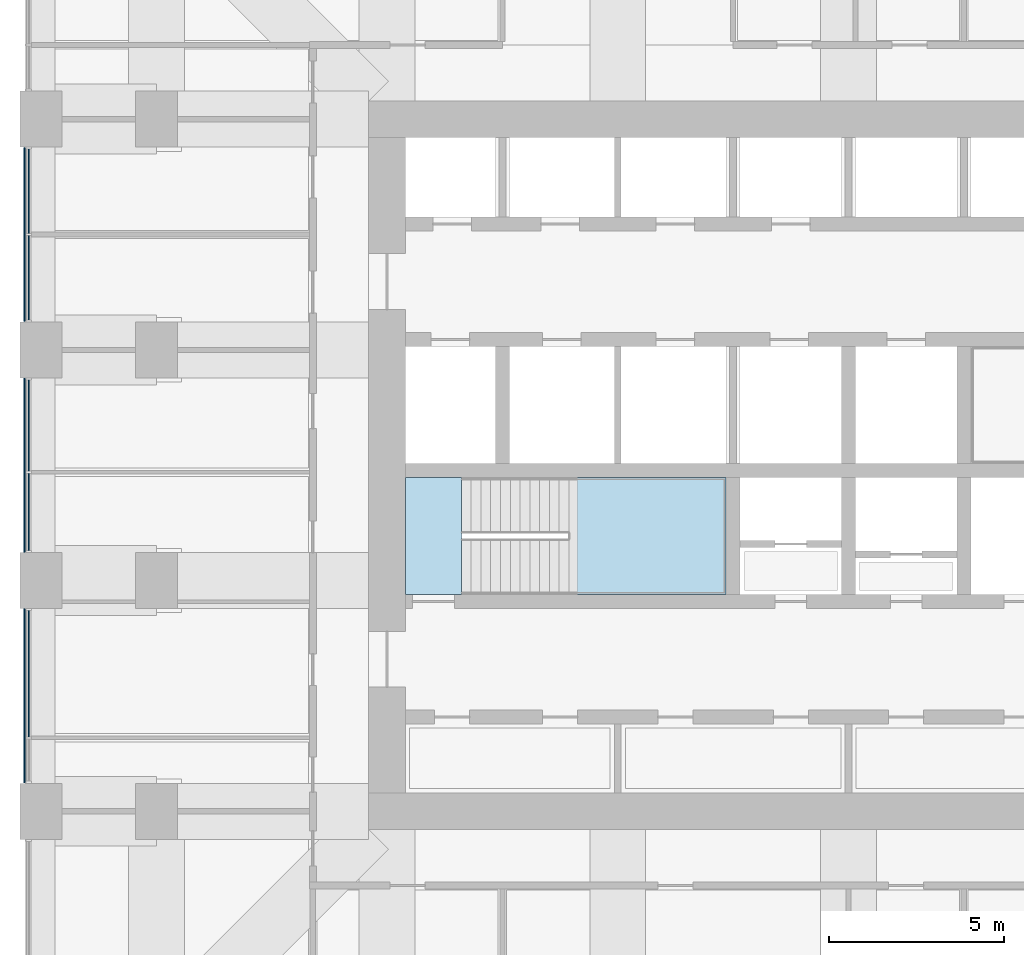
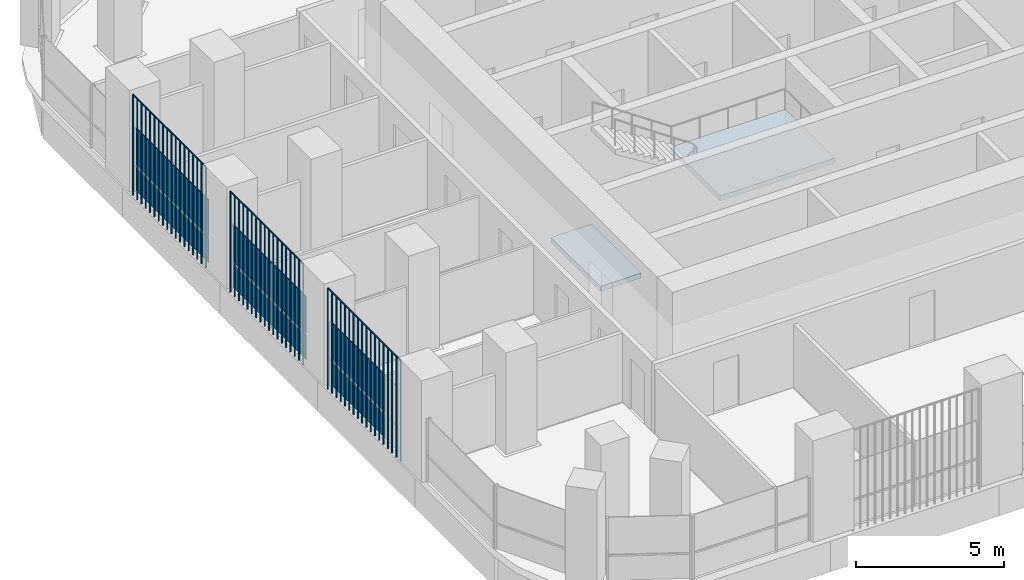
# One storey, part 9 of 20: 13 plates, 2 slabs, 4 elements without a shape of their own.
"""IFC4 building model written with IfcOpenShell, lengths in metres."""

from ifc_helpers import new_model, si_unit, direction, frame, origin, origin_2d, place, context, subcontext, project, spatial, polyline, rectangle, outline, extrude, material, layer, layer_set, type_object, element, aggregate, save


model = new_model("IFC4")

# Units and contexts
model_context = context("Model", 3, precision=1e-05, world=origin(), true_north=direction((0.0, 1.0)))
body_context = subcontext(model_context, "Body", "Model", "MODEL_VIEW")
ifc_project = project(units=[si_unit("LENGTHUNIT", "METRE"), si_unit("AREAUNIT", "SQUARE_METRE"), si_unit("VOLUMEUNIT", "CUBIC_METRE"), si_unit("PLANEANGLEUNIT", "RADIAN"), si_unit("MASSUNIT", "GRAM", prefix="KILO")], contexts=[model_context])

# Site, building, storey
site_placement = place(None, origin())
site = spatial("IfcSite", under=ifc_project, at=site_placement, CompositionType="ELEMENT")
building_placement = place(site_placement, origin())
building = spatial("IfcBuilding", under=site, at=building_placement, Name="Cobogo Forest Laboratory Tower", CompositionType="ELEMENT")
storey_placement = place(building_placement, frame((0.0, 0.0, 214.5)))
storey = spatial("IfcBuildingStorey", under=building, at=storey_placement, Name="L49", CompositionType="ELEMENT", Elevation=214.5)

# Curtain wall, plates
ifc_material_1 = material(Name="Aluminium curtain wall", Category="aluminium")
curtain_wall_type = type_object("IfcCurtainWallType", Name="CW-2 unitised curtain wall, solar control glazing, laboratory floors zones C and D", PredefinedType="USERDEFINED", material=ifc_material_1)
curtain_wall_1_placement = place(storey_placement, origin())
curtain_wall_1 = element("IfcCurtainWall", 1, at=curtain_wall_1_placement, inside=storey, type_object=curtain_wall_type, Name="Curtain wall 25 L49", ObjectType="UNITISED CURTAIN WALL", PredefinedType="USERDEFINED")
ifc_material_2 = material(Name="Solar control insulated glass", Category="glass")
ifc_layer_1 = layer(ifc_material_2, 0.031982421875)
ifc_layer_set_1 = layer_set([ifc_layer_1], Name="GP-2 solar control glass unit 32")
plate_type_1 = type_object("IfcPlateType", Name="GP-2 solar control glass unit 32", PredefinedType="CURTAIN_PANEL", material=ifc_layer_set_1)
plate_1_placement = place(storey_placement, frame((2.949951171875, 30.93505859375, 0.0), z_axis=(0.0, 0.0, 1.0), x_axis=(0.0, -1.0, 0.0)))
plate_1 = element("IfcPlate", 2, at=plate_1_placement, type_object=plate_type_1, Name="CW-2 panel 1.1", PredefinedType="CURTAIN_PANEL", context=body_context, shape_type="SweptSolid", body=[
    extrude(rectangle(XDim=2.409912109375, YDim=0.031982421875, at=origin_2d()), origin(), (0.0, 0.0, 1.0), 1.02001953125),
])
plate_2_placement = place(storey_placement, frame((2.949951171875, 30.93505859375, 1.080078125), z_axis=(0.0, 0.0, 1.0), x_axis=(0.0, -1.0, 0.0)))
plate_2 = element("IfcPlate", 3, at=plate_2_placement, type_object=plate_type_1, Name="CW-2 panel 1.2", PredefinedType="CURTAIN_PANEL", context=body_context, shape_type="SweptSolid", body=[
    extrude(rectangle(XDim=2.409912109375, YDim=0.031982421875, at=origin_2d()), origin(), (0.0, 0.0, 1.0), 1.52001953125),
])
plate_3_placement = place(storey_placement, frame((2.949951171875, 28.465087890625, 0.0), z_axis=(0.0, 0.0, 1.0), x_axis=(0.0, -1.0, 0.0)))
plate_3 = element("IfcPlate", 4, at=plate_3_placement, type_object=plate_type_1, Name="CW-2 panel 2.1", PredefinedType="CURTAIN_PANEL", context=body_context, shape_type="SweptSolid", body=[
    extrude(rectangle(XDim=2.409912109375, YDim=0.031982421875, at=origin_2d()), origin(), (0.0, 0.0, 1.0), 1.02001953125),
])
plate_4_placement = place(storey_placement, frame((2.949951171875, 28.465087890625, 1.080078125), z_axis=(0.0, 0.0, 1.0), x_axis=(0.0, -1.0, 0.0)))
plate_4 = element("IfcPlate", 5, at=plate_4_placement, type_object=plate_type_1, Name="CW-2 panel 2.2", PredefinedType="CURTAIN_PANEL", context=body_context, shape_type="SweptSolid", body=[
    extrude(rectangle(XDim=2.409912109375, YDim=0.031982421875, at=origin_2d()), origin(), (0.0, 0.0, 1.0), 1.52001953125),
])
aggregate(curtain_wall_1, [plate_1, plate_2, plate_3, plate_4])

curtain_wall_2_placement = place(storey_placement, origin())
curtain_wall_2 = element("IfcCurtainWall", 6, at=curtain_wall_2_placement, inside=storey, type_object=curtain_wall_type, Name="Curtain wall 26 L49", ObjectType="UNITISED CURTAIN WALL", PredefinedType="USERDEFINED")
plate_5_placement = place(storey_placement, frame((2.949951171875, 24.235107421875, 0.0), z_axis=(0.0, 0.0, 1.0), x_axis=(0.0, -1.0, 0.0)))
plate_5 = element("IfcPlate", 7, at=plate_5_placement, type_object=plate_type_1, Name="CW-2 panel 1.1", PredefinedType="CURTAIN_PANEL", context=body_context, shape_type="SweptSolid", body=[
    extrude(rectangle(XDim=2.610107421875, YDim=0.031982421875, at=origin_2d()), origin(), (0.0, 0.0, 1.0), 1.02001953125),
])
plate_6_placement = place(storey_placement, frame((2.949951171875, 24.235107421875, 1.080078125), z_axis=(0.0, 0.0, 1.0), x_axis=(0.0, -1.0, 0.0)))
plate_6 = element("IfcPlate", 8, at=plate_6_placement, type_object=plate_type_1, Name="CW-2 panel 1.2", PredefinedType="CURTAIN_PANEL", context=body_context, shape_type="SweptSolid", body=[
    extrude(rectangle(XDim=2.610107421875, YDim=0.031982421875, at=origin_2d()), origin(), (0.0, 0.0, 1.0), 1.52001953125),
])
plate_7_placement = place(storey_placement, frame((2.949951171875, 21.764892578125, 0.0), z_axis=(0.0, 0.0, 1.0), x_axis=(0.0, -1.0, 0.0)))
plate_7 = element("IfcPlate", 9, at=plate_7_placement, type_object=plate_type_1, Name="CW-2 panel 2.1", PredefinedType="CURTAIN_PANEL", context=body_context, shape_type="SweptSolid", body=[
    extrude(rectangle(XDim=2.2099609375, YDim=0.031982421875, at=origin_2d()), origin(), (0.0, 0.0, 1.0), 1.02001953125),
])
plate_8_placement = place(storey_placement, frame((2.949951171875, 21.764892578125, 1.080078125), z_axis=(0.0, 0.0, 1.0), x_axis=(0.0, -1.0, 0.0)))
plate_8 = element("IfcPlate", 10, at=plate_8_placement, type_object=plate_type_1, Name="CW-2 panel 2.2", PredefinedType="CURTAIN_PANEL", context=body_context, shape_type="SweptSolid", body=[
    extrude(rectangle(XDim=2.2099609375, YDim=0.031982421875, at=origin_2d()), origin(), (0.0, 0.0, 1.0), 1.52001953125),
])
aggregate(curtain_wall_2, [plate_5, plate_6, plate_7, plate_8])

curtain_wall_3_placement = place(storey_placement, origin())
curtain_wall_3 = element("IfcCurtainWall", 11, at=curtain_wall_3_placement, inside=storey, type_object=curtain_wall_type, Name="Curtain wall 27 L49", ObjectType="UNITISED CURTAIN WALL", PredefinedType="USERDEFINED")
plate_9_placement = place(storey_placement, frame((2.949951171875, 17.135009765625, 0.0), z_axis=(0.0, 0.0, 1.0), x_axis=(0.0, -1.0, 0.0)))
plate_9 = element("IfcPlate", 12, at=plate_9_placement, type_object=plate_type_1, Name="CW-2 panel 1.1", PredefinedType="CURTAIN_PANEL", context=body_context, shape_type="SweptSolid", body=[
    extrude(rectangle(XDim=3.610107421875, YDim=0.031982421875, at=origin_2d()), origin(), (0.0, 0.0, 1.0), 1.02001953125),
])
plate_10_placement = place(storey_placement, frame((2.949951171875, 17.135009765625, 1.080078125), z_axis=(0.0, 0.0, 1.0), x_axis=(0.0, -1.0, 0.0)))
plate_10 = element("IfcPlate", 13, at=plate_10_placement, type_object=plate_type_1, Name="CW-2 panel 1.2", PredefinedType="CURTAIN_PANEL", context=body_context, shape_type="SweptSolid", body=[
    extrude(rectangle(XDim=3.610107421875, YDim=0.031982421875, at=origin_2d()), origin(), (0.0, 0.0, 1.0), 1.52001953125),
])
aggregate(curtain_wall_3, [plate_9, plate_10])

# Stair, slabs
ifc_material_3 = material(Name="Precast concrete HA-40 (C40/50)", Category="concrete")
stair_type = type_object("IfcStairType", Name="ST24 exit stair 24 risers", PredefinedType="HALF_TURN_STAIR", material=ifc_material_3)
stair_placement = place(storey_placement, origin())
stair = element("IfcStair", 14, at=stair_placement, inside=storey, type_object=stair_type, Name="Stair 1 L49 to L50", PredefinedType="HALF_TURN_STAIR")
ifc_material_4 = material(Name="Concrete HA-40 (C40/50)", Category="concrete")
ifc_layer_2 = layer(ifc_material_4, 0.199951171875)
ifc_layer_set_2 = layer_set([ifc_layer_2], Name="SL stair landing 200")
slab_type = type_object("IfcSlabType", Name="SL stair landing 200", PredefinedType="LANDING", material=ifc_layer_set_2)
slab_1_placement = place(storey_placement, frame((0.0, 0.0, -0.199951171875)))
slab_1 = element("IfcSlab", 15, at=slab_1_placement, type_object=slab_type, Name="ST1 landing 1", PredefinedType="LANDING", context=body_context, shape_type="SweptSolid", body=[
    extrude(outline(polyline([(13.72509765625, 19.39990234375), (15.326904296875, 19.39990234375), (15.326904296875, 22.75), (13.72509765625, 22.75), (13.72509765625, 19.39990234375)])), origin(), (0.0, 0.0, 1.0), 0.199951171875),
])
slab_2_placement = place(storey_placement, frame((0.0, 0.0, 1.89990234375)))
slab_2 = element("IfcSlab", 16, at=slab_2_placement, type_object=slab_type, Name="ST1 landing 2", PredefinedType="LANDING", context=body_context, shape_type="SweptSolid", body=[
    extrude(outline(polyline([(18.403076171875, 19.39990234375), (22.89990234375, 19.39990234375), (22.89990234375, 22.75), (18.403076171875, 22.75), (18.403076171875, 19.39990234375)])), origin(), (0.0, 0.0, 1.0), 0.2001953125),
])
aggregate(stair, [slab_1, slab_2])

# Plates
ifc_material_5 = material(Name="Terracotta", Category="masonry")
plate_type_2 = type_object("IfcPlateType", Name="TB1 terracotta baguette screen", PredefinedType="USERDEFINED", material=ifc_material_5)
plate_11_placement = place(storey_placement, frame((2.822021484375, 14.03125, -0.14990234375)))
element("IfcPlate", 17, at=plate_11_placement, inside=storey, type_object=plate_type_2, Name="Baguette screen W1 L49", ObjectType="BAGUETTE SCREEN", PredefinedType="USERDEFINED", context=body_context, shape_type="SweptSolid", body=[
    extrude(outline(polyline([(0.02880859375, 0.011962890625), (0.011962890625, 0.02880859375), (-0.011962890625, 0.02880859375), (-0.02880859375, 0.011962890625), (-0.02880859375, -0.011962890625), (-0.011962890625, -0.02880859375), (0.011962890625, -0.02880859375), (0.02880859375, -0.011962890625), (0.02880859375, 0.011962890625)])), frame((0.0, 0.0, 4.168701171875), z_axis=(0.0, 1.0, 0.0), x_axis=(-1.0, 0.0, 0.0)), (0.0, 0.0, 1.0), 4.9375),
    extrude(outline(polyline([(0.02880859375, 0.011962890625), (0.011962890625, 0.02880859375), (-0.011962890625, 0.02880859375), (-0.02880859375, 0.011962890625), (-0.02880859375, -0.011962890625), (-0.011962890625, -0.02880859375), (0.011962890625, -0.02880859375), (0.02880859375, -0.011962890625), (0.02880859375, 0.011962890625)])), origin(), (0.0, 0.0, 1.0), 4.137451171875),
    extrude(outline(polyline([(0.02880859375, 0.011962890625), (0.011962890625, 0.02880859375), (-0.011962890625, 0.02880859375), (-0.02880859375, 0.011962890625), (-0.02880859375, -0.011962890625), (-0.011962890625, -0.02880859375), (0.011962890625, -0.02880859375), (0.02880859375, -0.011962890625), (0.02880859375, 0.011962890625)])), frame((0.0, 0.29052734375, 0.0)), (0.0, 0.0, 1.0), 4.137451171875),
    extrude(outline(polyline([(0.02880859375, 0.011962890625), (0.011962890625, 0.02880859375), (-0.011962890625, 0.02880859375), (-0.02880859375, 0.011962890625), (-0.02880859375, -0.011962890625), (-0.011962890625, -0.02880859375), (0.011962890625, -0.02880859375), (0.02880859375, -0.011962890625), (0.02880859375, 0.011962890625)])), frame((0.0, 0.580810546875, 0.0)), (0.0, 0.0, 1.0), 4.137451171875),
    extrude(outline(polyline([(0.02880859375, 0.011962890625), (0.011962890625, 0.02880859375), (-0.011962890625, 0.02880859375), (-0.02880859375, 0.011962890625), (-0.02880859375, -0.011962890625), (-0.011962890625, -0.02880859375), (0.011962890625, -0.02880859375), (0.02880859375, -0.011962890625), (0.02880859375, 0.011962890625)])), frame((0.0, 0.871337890625, 0.0)), (0.0, 0.0, 1.0), 4.137451171875),
    extrude(outline(polyline([(0.02880859375, 0.011962890625), (0.011962890625, 0.02880859375), (-0.011962890625, 0.02880859375), (-0.02880859375, 0.011962890625), (-0.02880859375, -0.011962890625), (-0.011962890625, -0.02880859375), (0.011962890625, -0.02880859375), (0.02880859375, -0.011962890625), (0.02880859375, 0.011962890625)])), frame((0.0, 1.161865234375, 0.0)), (0.0, 0.0, 1.0), 4.137451171875),
    extrude(outline(polyline([(0.02880859375, 0.011962890625), (0.011962890625, 0.02880859375), (-0.011962890625, 0.02880859375), (-0.02880859375, 0.011962890625), (-0.02880859375, -0.011962890625), (-0.011962890625, -0.02880859375), (0.011962890625, -0.02880859375), (0.02880859375, -0.011962890625), (0.02880859375, 0.011962890625)])), frame((0.0, 1.4521484375, 0.0)), (0.0, 0.0, 1.0), 4.137451171875),
    extrude(outline(polyline([(0.02880859375, 0.011962890625), (0.011962890625, 0.02880859375), (-0.011962890625, 0.02880859375), (-0.02880859375, 0.011962890625), (-0.02880859375, -0.011962890625), (-0.011962890625, -0.02880859375), (0.011962890625, -0.02880859375), (0.02880859375, -0.011962890625), (0.02880859375, 0.011962890625)])), frame((0.0, 1.74267578125, 0.0)), (0.0, 0.0, 1.0), 4.137451171875),
    extrude(outline(polyline([(0.02880859375, 0.011962890625), (0.011962890625, 0.02880859375), (-0.011962890625, 0.02880859375), (-0.02880859375, 0.011962890625), (-0.02880859375, -0.011962890625), (-0.011962890625, -0.02880859375), (0.011962890625, -0.02880859375), (0.02880859375, -0.011962890625), (0.02880859375, 0.011962890625)])), frame((0.0, 2.033203125, 0.0)), (0.0, 0.0, 1.0), 4.137451171875),
    extrude(outline(polyline([(0.02880859375, 0.011962890625), (0.011962890625, 0.02880859375), (-0.011962890625, 0.02880859375), (-0.02880859375, 0.011962890625), (-0.02880859375, -0.011962890625), (-0.011962890625, -0.02880859375), (0.011962890625, -0.02880859375), (0.02880859375, -0.011962890625), (0.02880859375, 0.011962890625)])), frame((0.0, 2.323486328125, 0.0)), (0.0, 0.0, 1.0), 4.137451171875),
    extrude(outline(polyline([(0.02880859375, 0.011962890625), (0.011962890625, 0.02880859375), (-0.011962890625, 0.02880859375), (-0.02880859375, 0.011962890625), (-0.02880859375, -0.011962890625), (-0.011962890625, -0.02880859375), (0.011962890625, -0.02880859375), (0.02880859375, -0.011962890625), (0.02880859375, 0.011962890625)])), frame((0.0, 2.614013671875, 0.0)), (0.0, 0.0, 1.0), 4.137451171875),
    extrude(outline(polyline([(0.02880859375, 0.011962890625), (0.011962890625, 0.02880859375), (-0.011962890625, 0.02880859375), (-0.02880859375, 0.011962890625), (-0.02880859375, -0.011962890625), (-0.011962890625, -0.02880859375), (0.011962890625, -0.02880859375), (0.02880859375, -0.011962890625), (0.02880859375, 0.011962890625)])), frame((0.0, 2.904296875, 0.0)), (0.0, 0.0, 1.0), 4.137451171875),
    extrude(outline(polyline([(0.02880859375, 0.011962890625), (0.011962890625, 0.02880859375), (-0.011962890625, 0.02880859375), (-0.02880859375, 0.011962890625), (-0.02880859375, -0.011962890625), (-0.011962890625, -0.02880859375), (0.011962890625, -0.02880859375), (0.02880859375, -0.011962890625), (0.02880859375, 0.011962890625)])), frame((0.0, 3.19482421875, 0.0)), (0.0, 0.0, 1.0), 4.137451171875),
    extrude(outline(polyline([(0.02880859375, 0.011962890625), (0.011962890625, 0.02880859375), (-0.011962890625, 0.02880859375), (-0.02880859375, 0.011962890625), (-0.02880859375, -0.011962890625), (-0.011962890625, -0.02880859375), (0.011962890625, -0.02880859375), (0.02880859375, -0.011962890625), (0.02880859375, 0.011962890625)])), frame((0.0, 3.4853515625, 0.0)), (0.0, 0.0, 1.0), 4.137451171875),
    extrude(outline(polyline([(0.02880859375, 0.011962890625), (0.011962890625, 0.02880859375), (-0.011962890625, 0.02880859375), (-0.02880859375, 0.011962890625), (-0.02880859375, -0.011962890625), (-0.011962890625, -0.02880859375), (0.011962890625, -0.02880859375), (0.02880859375, -0.011962890625), (0.02880859375, 0.011962890625)])), frame((0.0, 3.775634765625, 0.0)), (0.0, 0.0, 1.0), 4.137451171875),
    extrude(outline(polyline([(0.02880859375, 0.011962890625), (0.011962890625, 0.02880859375), (-0.011962890625, 0.02880859375), (-0.02880859375, 0.011962890625), (-0.02880859375, -0.011962890625), (-0.011962890625, -0.02880859375), (0.011962890625, -0.02880859375), (0.02880859375, -0.011962890625), (0.02880859375, 0.011962890625)])), frame((0.0, 4.066162109375, 0.0)), (0.0, 0.0, 1.0), 4.137451171875),
    extrude(outline(polyline([(0.02880859375, 0.011962890625), (0.011962890625, 0.02880859375), (-0.011962890625, 0.02880859375), (-0.02880859375, 0.011962890625), (-0.02880859375, -0.011962890625), (-0.011962890625, -0.02880859375), (0.011962890625, -0.02880859375), (0.02880859375, -0.011962890625), (0.02880859375, 0.011962890625)])), frame((0.0, 4.356689453125, 0.0)), (0.0, 0.0, 1.0), 4.137451171875),
    extrude(outline(polyline([(0.02880859375, 0.011962890625), (0.011962890625, 0.02880859375), (-0.011962890625, 0.02880859375), (-0.02880859375, 0.011962890625), (-0.02880859375, -0.011962890625), (-0.011962890625, -0.02880859375), (0.011962890625, -0.02880859375), (0.02880859375, -0.011962890625), (0.02880859375, 0.011962890625)])), frame((0.0, 4.64697265625, 0.0)), (0.0, 0.0, 1.0), 4.137451171875),
    extrude(outline(polyline([(0.02880859375, 0.011962890625), (0.011962890625, 0.02880859375), (-0.011962890625, 0.02880859375), (-0.02880859375, 0.011962890625), (-0.02880859375, -0.011962890625), (-0.011962890625, -0.02880859375), (0.011962890625, -0.02880859375), (0.02880859375, -0.011962890625), (0.02880859375, 0.011962890625)])), frame((0.0, 4.9375, 0.0)), (0.0, 0.0, 1.0), 4.137451171875),
])
plate_12_placement = place(storey_placement, frame((2.822021484375, 20.63134765625, -0.14990234375)))
element("IfcPlate", 18, at=plate_12_placement, inside=storey, type_object=plate_type_2, Name="Baguette screen W2 L49", ObjectType="BAGUETTE SCREEN", PredefinedType="USERDEFINED", context=body_context, shape_type="SweptSolid", body=[
    extrude(outline(polyline([(0.02880859375, 0.011962890625), (0.011962890625, 0.02880859375), (-0.011962890625, 0.02880859375), (-0.02880859375, 0.011962890625), (-0.02880859375, -0.011962890625), (-0.011962890625, -0.02880859375), (0.011962890625, -0.02880859375), (0.02880859375, -0.011962890625), (0.02880859375, 0.011962890625)])), frame((0.0, 0.0, 4.168701171875), z_axis=(0.0, 1.0, 0.0), x_axis=(-1.0, 0.0, 0.0)), (0.0, 0.0, 1.0), 4.9375),
    extrude(outline(polyline([(0.02880859375, 0.011962890625), (0.011962890625, 0.02880859375), (-0.011962890625, 0.02880859375), (-0.02880859375, 0.011962890625), (-0.02880859375, -0.011962890625), (-0.011962890625, -0.02880859375), (0.011962890625, -0.02880859375), (0.02880859375, -0.011962890625), (0.02880859375, 0.011962890625)])), origin(), (0.0, 0.0, 1.0), 4.137451171875),
    extrude(outline(polyline([(0.02880859375, 0.011962890625), (0.011962890625, 0.02880859375), (-0.011962890625, 0.02880859375), (-0.02880859375, 0.011962890625), (-0.02880859375, -0.011962890625), (-0.011962890625, -0.02880859375), (0.011962890625, -0.02880859375), (0.02880859375, -0.011962890625), (0.02880859375, 0.011962890625)])), frame((0.0, 0.29052734375, 0.0)), (0.0, 0.0, 1.0), 4.137451171875),
    extrude(outline(polyline([(0.02880859375, 0.011962890625), (0.011962890625, 0.02880859375), (-0.011962890625, 0.02880859375), (-0.02880859375, 0.011962890625), (-0.02880859375, -0.011962890625), (-0.011962890625, -0.02880859375), (0.011962890625, -0.02880859375), (0.02880859375, -0.011962890625), (0.02880859375, 0.011962890625)])), frame((0.0, 0.580810546875, 0.0)), (0.0, 0.0, 1.0), 4.137451171875),
    extrude(outline(polyline([(0.02880859375, 0.011962890625), (0.011962890625, 0.02880859375), (-0.011962890625, 0.02880859375), (-0.02880859375, 0.011962890625), (-0.02880859375, -0.011962890625), (-0.011962890625, -0.02880859375), (0.011962890625, -0.02880859375), (0.02880859375, -0.011962890625), (0.02880859375, 0.011962890625)])), frame((0.0, 0.871337890625, 0.0)), (0.0, 0.0, 1.0), 4.137451171875),
    extrude(outline(polyline([(0.02880859375, 0.011962890625), (0.011962890625, 0.02880859375), (-0.011962890625, 0.02880859375), (-0.02880859375, 0.011962890625), (-0.02880859375, -0.011962890625), (-0.011962890625, -0.02880859375), (0.011962890625, -0.02880859375), (0.02880859375, -0.011962890625), (0.02880859375, 0.011962890625)])), frame((0.0, 1.161865234375, 0.0)), (0.0, 0.0, 1.0), 4.137451171875),
    extrude(outline(polyline([(0.02880859375, 0.011962890625), (0.011962890625, 0.02880859375), (-0.011962890625, 0.02880859375), (-0.02880859375, 0.011962890625), (-0.02880859375, -0.011962890625), (-0.011962890625, -0.02880859375), (0.011962890625, -0.02880859375), (0.02880859375, -0.011962890625), (0.02880859375, 0.011962890625)])), frame((0.0, 1.4521484375, 0.0)), (0.0, 0.0, 1.0), 4.137451171875),
    extrude(outline(polyline([(0.02880859375, 0.011962890625), (0.011962890625, 0.02880859375), (-0.011962890625, 0.02880859375), (-0.02880859375, 0.011962890625), (-0.02880859375, -0.011962890625), (-0.011962890625, -0.02880859375), (0.011962890625, -0.02880859375), (0.02880859375, -0.011962890625), (0.02880859375, 0.011962890625)])), frame((0.0, 1.74267578125, 0.0)), (0.0, 0.0, 1.0), 4.137451171875),
    extrude(outline(polyline([(0.02880859375, 0.011962890625), (0.011962890625, 0.02880859375), (-0.011962890625, 0.02880859375), (-0.02880859375, 0.011962890625), (-0.02880859375, -0.011962890625), (-0.011962890625, -0.02880859375), (0.011962890625, -0.02880859375), (0.02880859375, -0.011962890625), (0.02880859375, 0.011962890625)])), frame((0.0, 2.033203125, 0.0)), (0.0, 0.0, 1.0), 4.137451171875),
    extrude(outline(polyline([(0.02880859375, 0.011962890625), (0.011962890625, 0.02880859375), (-0.011962890625, 0.02880859375), (-0.02880859375, 0.011962890625), (-0.02880859375, -0.011962890625), (-0.011962890625, -0.02880859375), (0.011962890625, -0.02880859375), (0.02880859375, -0.011962890625), (0.02880859375, 0.011962890625)])), frame((0.0, 2.323486328125, 0.0)), (0.0, 0.0, 1.0), 4.137451171875),
    extrude(outline(polyline([(0.02880859375, 0.011962890625), (0.011962890625, 0.02880859375), (-0.011962890625, 0.02880859375), (-0.02880859375, 0.011962890625), (-0.02880859375, -0.011962890625), (-0.011962890625, -0.02880859375), (0.011962890625, -0.02880859375), (0.02880859375, -0.011962890625), (0.02880859375, 0.011962890625)])), frame((0.0, 2.614013671875, 0.0)), (0.0, 0.0, 1.0), 4.137451171875),
    extrude(outline(polyline([(0.02880859375, 0.011962890625), (0.011962890625, 0.02880859375), (-0.011962890625, 0.02880859375), (-0.02880859375, 0.011962890625), (-0.02880859375, -0.011962890625), (-0.011962890625, -0.02880859375), (0.011962890625, -0.02880859375), (0.02880859375, -0.011962890625), (0.02880859375, 0.011962890625)])), frame((0.0, 2.904296875, 0.0)), (0.0, 0.0, 1.0), 4.137451171875),
    extrude(outline(polyline([(0.02880859375, 0.011962890625), (0.011962890625, 0.02880859375), (-0.011962890625, 0.02880859375), (-0.02880859375, 0.011962890625), (-0.02880859375, -0.011962890625), (-0.011962890625, -0.02880859375), (0.011962890625, -0.02880859375), (0.02880859375, -0.011962890625), (0.02880859375, 0.011962890625)])), frame((0.0, 3.19482421875, 0.0)), (0.0, 0.0, 1.0), 4.137451171875),
    extrude(outline(polyline([(0.02880859375, 0.011962890625), (0.011962890625, 0.02880859375), (-0.011962890625, 0.02880859375), (-0.02880859375, 0.011962890625), (-0.02880859375, -0.011962890625), (-0.011962890625, -0.02880859375), (0.011962890625, -0.02880859375), (0.02880859375, -0.011962890625), (0.02880859375, 0.011962890625)])), frame((0.0, 3.4853515625, 0.0)), (0.0, 0.0, 1.0), 4.137451171875),
    extrude(outline(polyline([(0.02880859375, 0.011962890625), (0.011962890625, 0.02880859375), (-0.011962890625, 0.02880859375), (-0.02880859375, 0.011962890625), (-0.02880859375, -0.011962890625), (-0.011962890625, -0.02880859375), (0.011962890625, -0.02880859375), (0.02880859375, -0.011962890625), (0.02880859375, 0.011962890625)])), frame((0.0, 3.775634765625, 0.0)), (0.0, 0.0, 1.0), 4.137451171875),
    extrude(outline(polyline([(0.02880859375, 0.011962890625), (0.011962890625, 0.02880859375), (-0.011962890625, 0.02880859375), (-0.02880859375, 0.011962890625), (-0.02880859375, -0.011962890625), (-0.011962890625, -0.02880859375), (0.011962890625, -0.02880859375), (0.02880859375, -0.011962890625), (0.02880859375, 0.011962890625)])), frame((0.0, 4.066162109375, 0.0)), (0.0, 0.0, 1.0), 4.137451171875),
    extrude(outline(polyline([(0.02880859375, 0.011962890625), (0.011962890625, 0.02880859375), (-0.011962890625, 0.02880859375), (-0.02880859375, 0.011962890625), (-0.02880859375, -0.011962890625), (-0.011962890625, -0.02880859375), (0.011962890625, -0.02880859375), (0.02880859375, -0.011962890625), (0.02880859375, 0.011962890625)])), frame((0.0, 4.356689453125, 0.0)), (0.0, 0.0, 1.0), 4.137451171875),
    extrude(outline(polyline([(0.02880859375, 0.011962890625), (0.011962890625, 0.02880859375), (-0.011962890625, 0.02880859375), (-0.02880859375, 0.011962890625), (-0.02880859375, -0.011962890625), (-0.011962890625, -0.02880859375), (0.011962890625, -0.02880859375), (0.02880859375, -0.011962890625), (0.02880859375, 0.011962890625)])), frame((0.0, 4.64697265625, 0.0)), (0.0, 0.0, 1.0), 4.137451171875),
    extrude(outline(polyline([(0.02880859375, 0.011962890625), (0.011962890625, 0.02880859375), (-0.011962890625, 0.02880859375), (-0.02880859375, 0.011962890625), (-0.02880859375, -0.011962890625), (-0.011962890625, -0.02880859375), (0.011962890625, -0.02880859375), (0.02880859375, -0.011962890625), (0.02880859375, 0.011962890625)])), frame((0.0, 4.9375, 0.0)), (0.0, 0.0, 1.0), 4.137451171875),
])
plate_13_placement = place(storey_placement, frame((2.822021484375, 27.231201171875, -0.14990234375)))
element("IfcPlate", 19, at=plate_13_placement, inside=storey, type_object=plate_type_2, Name="Baguette screen W3 L49", ObjectType="BAGUETTE SCREEN", PredefinedType="USERDEFINED", context=body_context, shape_type="SweptSolid", body=[
    extrude(outline(polyline([(0.02880859375, 0.011962890625), (0.011962890625, 0.02880859375), (-0.011962890625, 0.02880859375), (-0.02880859375, 0.011962890625), (-0.02880859375, -0.011962890625), (-0.011962890625, -0.02880859375), (0.011962890625, -0.02880859375), (0.02880859375, -0.011962890625), (0.02880859375, 0.011962890625)])), frame((0.0, 0.0, 4.168701171875), z_axis=(0.0, 1.0, 0.0), x_axis=(-1.0, 0.0, 0.0)), (0.0, 0.0, 1.0), 4.9375),
    extrude(outline(polyline([(0.02880859375, 0.011962890625), (0.011962890625, 0.02880859375), (-0.011962890625, 0.02880859375), (-0.02880859375, 0.011962890625), (-0.02880859375, -0.011962890625), (-0.011962890625, -0.02880859375), (0.011962890625, -0.02880859375), (0.02880859375, -0.011962890625), (0.02880859375, 0.011962890625)])), origin(), (0.0, 0.0, 1.0), 4.137451171875),
    extrude(outline(polyline([(0.02880859375, 0.011962890625), (0.011962890625, 0.02880859375), (-0.011962890625, 0.02880859375), (-0.02880859375, 0.011962890625), (-0.02880859375, -0.011962890625), (-0.011962890625, -0.02880859375), (0.011962890625, -0.02880859375), (0.02880859375, -0.011962890625), (0.02880859375, 0.011962890625)])), frame((0.0, 0.29052734375, 0.0)), (0.0, 0.0, 1.0), 4.137451171875),
    extrude(outline(polyline([(0.02880859375, 0.011962890625), (0.011962890625, 0.02880859375), (-0.011962890625, 0.02880859375), (-0.02880859375, 0.011962890625), (-0.02880859375, -0.011962890625), (-0.011962890625, -0.02880859375), (0.011962890625, -0.02880859375), (0.02880859375, -0.011962890625), (0.02880859375, 0.011962890625)])), frame((0.0, 0.580810546875, 0.0)), (0.0, 0.0, 1.0), 4.137451171875),
    extrude(outline(polyline([(0.02880859375, 0.011962890625), (0.011962890625, 0.02880859375), (-0.011962890625, 0.02880859375), (-0.02880859375, 0.011962890625), (-0.02880859375, -0.011962890625), (-0.011962890625, -0.02880859375), (0.011962890625, -0.02880859375), (0.02880859375, -0.011962890625), (0.02880859375, 0.011962890625)])), frame((0.0, 0.871337890625, 0.0)), (0.0, 0.0, 1.0), 4.137451171875),
    extrude(outline(polyline([(0.02880859375, 0.011962890625), (0.011962890625, 0.02880859375), (-0.011962890625, 0.02880859375), (-0.02880859375, 0.011962890625), (-0.02880859375, -0.011962890625), (-0.011962890625, -0.02880859375), (0.011962890625, -0.02880859375), (0.02880859375, -0.011962890625), (0.02880859375, 0.011962890625)])), frame((0.0, 1.161865234375, 0.0)), (0.0, 0.0, 1.0), 4.137451171875),
    extrude(outline(polyline([(0.02880859375, 0.011962890625), (0.011962890625, 0.02880859375), (-0.011962890625, 0.02880859375), (-0.02880859375, 0.011962890625), (-0.02880859375, -0.011962890625), (-0.011962890625, -0.02880859375), (0.011962890625, -0.02880859375), (0.02880859375, -0.011962890625), (0.02880859375, 0.011962890625)])), frame((0.0, 1.4521484375, 0.0)), (0.0, 0.0, 1.0), 4.137451171875),
    extrude(outline(polyline([(0.02880859375, 0.011962890625), (0.011962890625, 0.02880859375), (-0.011962890625, 0.02880859375), (-0.02880859375, 0.011962890625), (-0.02880859375, -0.011962890625), (-0.011962890625, -0.02880859375), (0.011962890625, -0.02880859375), (0.02880859375, -0.011962890625), (0.02880859375, 0.011962890625)])), frame((0.0, 1.74267578125, 0.0)), (0.0, 0.0, 1.0), 4.137451171875),
    extrude(outline(polyline([(0.02880859375, 0.011962890625), (0.011962890625, 0.02880859375), (-0.011962890625, 0.02880859375), (-0.02880859375, 0.011962890625), (-0.02880859375, -0.011962890625), (-0.011962890625, -0.02880859375), (0.011962890625, -0.02880859375), (0.02880859375, -0.011962890625), (0.02880859375, 0.011962890625)])), frame((0.0, 2.033203125, 0.0)), (0.0, 0.0, 1.0), 4.137451171875),
    extrude(outline(polyline([(0.02880859375, 0.011962890625), (0.011962890625, 0.02880859375), (-0.011962890625, 0.02880859375), (-0.02880859375, 0.011962890625), (-0.02880859375, -0.011962890625), (-0.011962890625, -0.02880859375), (0.011962890625, -0.02880859375), (0.02880859375, -0.011962890625), (0.02880859375, 0.011962890625)])), frame((0.0, 2.323486328125, 0.0)), (0.0, 0.0, 1.0), 4.137451171875),
    extrude(outline(polyline([(0.02880859375, 0.011962890625), (0.011962890625, 0.02880859375), (-0.011962890625, 0.02880859375), (-0.02880859375, 0.011962890625), (-0.02880859375, -0.011962890625), (-0.011962890625, -0.02880859375), (0.011962890625, -0.02880859375), (0.02880859375, -0.011962890625), (0.02880859375, 0.011962890625)])), frame((0.0, 2.614013671875, 0.0)), (0.0, 0.0, 1.0), 4.137451171875),
    extrude(outline(polyline([(0.02880859375, 0.011962890625), (0.011962890625, 0.02880859375), (-0.011962890625, 0.02880859375), (-0.02880859375, 0.011962890625), (-0.02880859375, -0.011962890625), (-0.011962890625, -0.02880859375), (0.011962890625, -0.02880859375), (0.02880859375, -0.011962890625), (0.02880859375, 0.011962890625)])), frame((0.0, 2.904296875, 0.0)), (0.0, 0.0, 1.0), 4.137451171875),
    extrude(outline(polyline([(0.02880859375, 0.011962890625), (0.011962890625, 0.02880859375), (-0.011962890625, 0.02880859375), (-0.02880859375, 0.011962890625), (-0.02880859375, -0.011962890625), (-0.011962890625, -0.02880859375), (0.011962890625, -0.02880859375), (0.02880859375, -0.011962890625), (0.02880859375, 0.011962890625)])), frame((0.0, 3.19482421875, 0.0)), (0.0, 0.0, 1.0), 4.137451171875),
    extrude(outline(polyline([(0.02880859375, 0.011962890625), (0.011962890625, 0.02880859375), (-0.011962890625, 0.02880859375), (-0.02880859375, 0.011962890625), (-0.02880859375, -0.011962890625), (-0.011962890625, -0.02880859375), (0.011962890625, -0.02880859375), (0.02880859375, -0.011962890625), (0.02880859375, 0.011962890625)])), frame((0.0, 3.4853515625, 0.0)), (0.0, 0.0, 1.0), 4.137451171875),
    extrude(outline(polyline([(0.02880859375, 0.011962890625), (0.011962890625, 0.02880859375), (-0.011962890625, 0.02880859375), (-0.02880859375, 0.011962890625), (-0.02880859375, -0.011962890625), (-0.011962890625, -0.02880859375), (0.011962890625, -0.02880859375), (0.02880859375, -0.011962890625), (0.02880859375, 0.011962890625)])), frame((0.0, 3.775634765625, 0.0)), (0.0, 0.0, 1.0), 4.137451171875),
    extrude(outline(polyline([(0.02880859375, 0.011962890625), (0.011962890625, 0.02880859375), (-0.011962890625, 0.02880859375), (-0.02880859375, 0.011962890625), (-0.02880859375, -0.011962890625), (-0.011962890625, -0.02880859375), (0.011962890625, -0.02880859375), (0.02880859375, -0.011962890625), (0.02880859375, 0.011962890625)])), frame((0.0, 4.066162109375, 0.0)), (0.0, 0.0, 1.0), 4.137451171875),
    extrude(outline(polyline([(0.02880859375, 0.011962890625), (0.011962890625, 0.02880859375), (-0.011962890625, 0.02880859375), (-0.02880859375, 0.011962890625), (-0.02880859375, -0.011962890625), (-0.011962890625, -0.02880859375), (0.011962890625, -0.02880859375), (0.02880859375, -0.011962890625), (0.02880859375, 0.011962890625)])), frame((0.0, 4.356689453125, 0.0)), (0.0, 0.0, 1.0), 4.137451171875),
    extrude(outline(polyline([(0.02880859375, 0.011962890625), (0.011962890625, 0.02880859375), (-0.011962890625, 0.02880859375), (-0.02880859375, 0.011962890625), (-0.02880859375, -0.011962890625), (-0.011962890625, -0.02880859375), (0.011962890625, -0.02880859375), (0.02880859375, -0.011962890625), (0.02880859375, 0.011962890625)])), frame((0.0, 4.64697265625, 0.0)), (0.0, 0.0, 1.0), 4.137451171875),
    extrude(outline(polyline([(0.02880859375, 0.011962890625), (0.011962890625, 0.02880859375), (-0.011962890625, 0.02880859375), (-0.02880859375, 0.011962890625), (-0.02880859375, -0.011962890625), (-0.011962890625, -0.02880859375), (0.011962890625, -0.02880859375), (0.02880859375, -0.011962890625), (0.02880859375, 0.011962890625)])), frame((0.0, 4.9375, 0.0)), (0.0, 0.0, 1.0), 4.137451171875),
])

save(model, "model.ifc")
